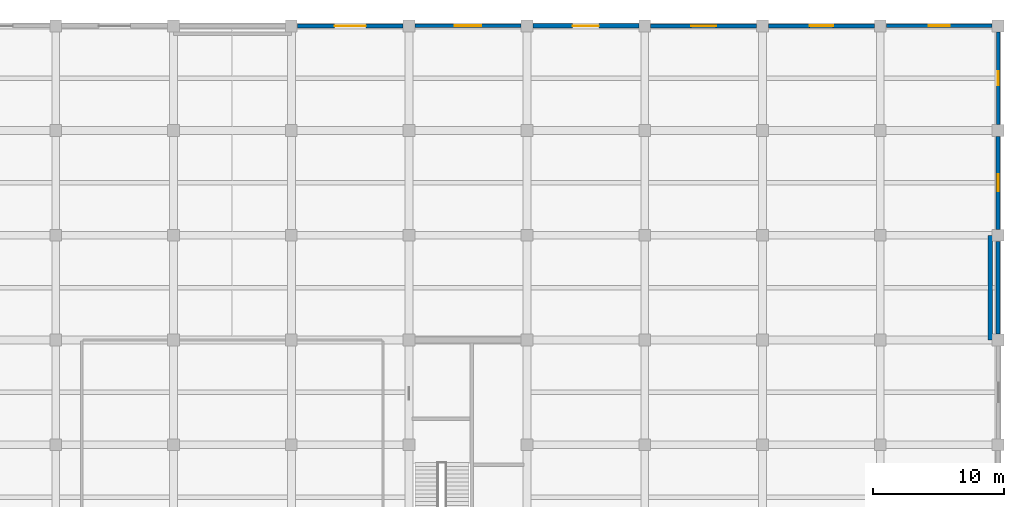
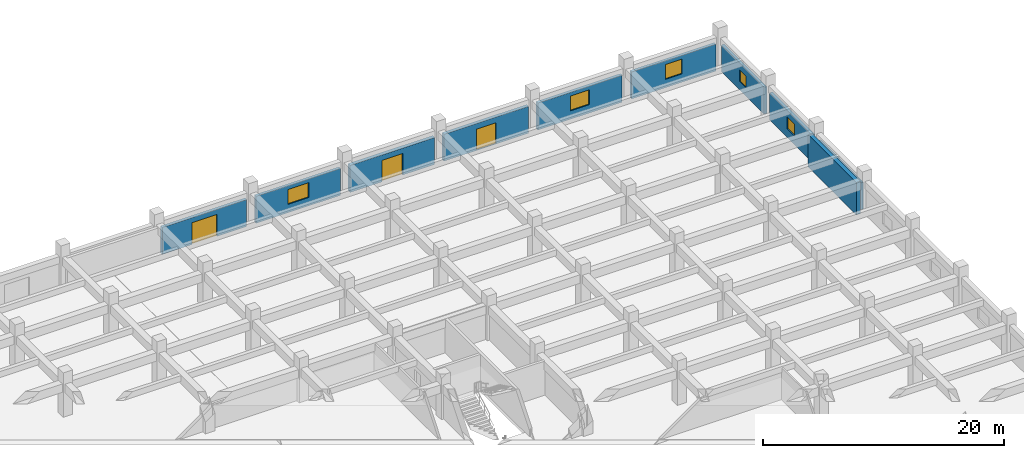
# One storey, part 30 of 40: 10 walls, 5 windows, 3 doors, 8 openings.
"""IFC4 building model written with IfcOpenShell, lengths in metres."""

from ifc_helpers import new_model, si_unit, direction, frame, frame_2d, origin, place, context, subcontext, project, spatial, rectangle, extrude, material, layer, layer_set, type_object, element, fill, save


model = new_model("IFC4")

# Units and contexts
model_context = context("Model", 3, precision=1e-05, world=origin(), true_north=direction((0.0, 1.0)))
body_context = subcontext(model_context, "Body", "Model", "MODEL_VIEW")
ifc_project = project(units=[si_unit("LENGTHUNIT", "METRE"), si_unit("AREAUNIT", "SQUARE_METRE"), si_unit("VOLUMEUNIT", "CUBIC_METRE"), si_unit("PLANEANGLEUNIT", "RADIAN"), si_unit("MASSUNIT", "GRAM", prefix="KILO")], contexts=[model_context])

# Site, building, storey
site_placement = place(None, origin())
site = spatial("IfcSite", under=ifc_project, at=site_placement, CompositionType="ELEMENT")
building_placement = place(site_placement, origin())
building = spatial("IfcBuilding", under=site, at=building_placement, Name="Zaverband Oceanarium and Marine Research Institute", CompositionType="ELEMENT")
storey_placement = place(building_placement, origin())
storey = spatial("IfcBuildingStorey", under=building, at=storey_placement, Name="L00", CompositionType="ELEMENT", Elevation=0.0)

# Wall, opening, window
ifc_material_1 = material(Name="Concrete C40/50 precast", Category="concrete")
ifc_layer_1 = layer(ifc_material_1, 0.264892578125, Name="Concrete C40/50 precast")
ifc_layer_set_1 = layer_set([ifc_layer_1], Name="Concrete C40/50 precast")
wall_type_1 = type_object("IfcWallType", Name="EW-265", PredefinedType="STANDARD", material=ifc_layer_set_1)
wall_1_placement = place(storey_placement, frame((135.455078125, 120.0, 0.0), z_axis=(0.0, 0.0, 1.0), x_axis=(1.0, 0.0, 0.0)))
wall_1 = element("IfcWall", 1, at=wall_1_placement, inside=storey, type_object=wall_type_1, Name="Exterior infill wall EW-265", PredefinedType="STANDARD", context=body_context, shape_type="SweptSolid", body=[
    extrude(rectangle(XDim=8.08984375, YDim=0.264892578125, at=frame_2d((4.044921875, 0.0))), origin(), (0.0, 0.0, 1.0), 2.72998046875),
])
opening_1_placement = place(wall_1_placement, frame((3.044921875, 0.0, 0.85009765625)))
opening_1 = element("IfcOpeningElement", 2, at=opening_1_placement, cuts=wall_1, Name="Opening WN-2000x1500", PredefinedType="OPENING", context=body_context, shape_type="SweptSolid", body=[
    extrude(rectangle(XDim=2.0, YDim=1.5, at=frame_2d((1.0, 0.75))), frame((0.0, 0.14453125, 0.0), z_axis=(0.0, -1.0, 0.0), x_axis=(1.0, 0.0, 0.0)), (0.0, 0.0, 1.0), 0.288818359375),
])
ifc_material_2 = material(Name="Thermally broken anodized aluminium and solar-control glass", Category="aluminium")
window_type_1 = type_object("IfcWindowType", Name="WN-2000x1500", PartitioningType="SINGLE_PANEL", PredefinedType="WINDOW", material=ifc_material_2)
window_1_placement = place(opening_1_placement, origin())
window_1 = element("IfcWindow", 3, at=window_1_placement, inside=storey, type_object=window_type_1, Name="Fixed / casement exterior window WN-2000x1500", OverallHeight=1.5, OverallWidth=2.0, PartitioningType="SINGLE_PANEL", PredefinedType="WINDOW", context=body_context, shape_type="SweptSolid", body=[
    extrude(rectangle(XDim=2.0, YDim=1.5, at=frame_2d((1.0, 0.75))), frame((0.0, 0.030029296875, 0.0), z_axis=(0.0, -1.0, 0.0), x_axis=(1.0, 0.0, 0.0)), (0.0, 0.0, 1.0), 0.06005859375),
])
fill(opening_1, window_1)

wall_2_placement = place(storey_placement, frame((171.455078125, 120.0, 0.0), z_axis=(0.0, 0.0, 1.0), x_axis=(1.0, 0.0, 0.0)))
wall_2 = element("IfcWall", 4, at=wall_2_placement, inside=storey, type_object=wall_type_1, Name="Exterior infill wall EW-265", PredefinedType="STANDARD", context=body_context, shape_type="SweptSolid", body=[
    extrude(rectangle(XDim=8.08984375, YDim=0.264892578125, at=frame_2d((4.044921875, 0.0))), origin(), (0.0, 0.0, 1.0), 2.72998046875),
])
opening_2_placement = place(wall_2_placement, frame((3.2451171875, 0.0, 0.85009765625)))
opening_2 = element("IfcOpeningElement", 5, at=opening_2_placement, cuts=wall_2, Name="Opening WN-1600x1500", PredefinedType="OPENING", context=body_context, shape_type="SweptSolid", body=[
    extrude(rectangle(XDim=1.60009765625, YDim=1.5, at=frame_2d((0.800048828125, 0.75))), frame((0.0, 0.14453125, 0.0), z_axis=(0.0, -1.0, 0.0), x_axis=(1.0, 0.0, 0.0)), (0.0, 0.0, 1.0), 0.288818359375),
])
window_type_2 = type_object("IfcWindowType", Name="WN-1600x1500", PartitioningType="SINGLE_PANEL", PredefinedType="WINDOW", material=ifc_material_2)
window_2_placement = place(opening_2_placement, origin())
window_2 = element("IfcWindow", 6, at=window_2_placement, inside=storey, type_object=window_type_2, Name="Fixed / casement exterior window WN-1600x1500", OverallHeight=1.5, OverallWidth=1.60009765625, PartitioningType="SINGLE_PANEL", PredefinedType="WINDOW", context=body_context, shape_type="SweptSolid", body=[
    extrude(rectangle(XDim=1.60009765625, YDim=1.5, at=frame_2d((0.800048828125, 0.75))), frame((0.0, 0.030029296875, 0.0), z_axis=(0.0, -1.0, 0.0), x_axis=(1.0, 0.0, 0.0)), (0.0, 0.0, 1.0), 0.06005859375),
])
fill(opening_2, window_2)

wall_3_placement = place(storey_placement, frame((180.0, 112.455078125, 0.0), z_axis=(0.0, 0.0, 1.0), x_axis=(0.0, 1.0, 0.0)))
wall_3 = element("IfcWall", 7, at=wall_3_placement, inside=storey, type_object=wall_type_1, Name="Exterior infill wall EW-265", PredefinedType="STANDARD", context=body_context, shape_type="SweptSolid", body=[
    extrude(rectangle(XDim=7.08984375, YDim=0.264892578125, at=frame_2d((3.544921875, 0.0))), origin(), (0.0, 0.0, 1.0), 2.72998046875),
])
opening_3_placement = place(wall_3_placement, frame((2.9951171875, 0.0, 0.85009765625)))
opening_3 = element("IfcOpeningElement", 8, at=opening_3_placement, cuts=wall_3, Name="Opening WN-1100x1200", PredefinedType="OPENING", context=body_context, shape_type="SweptSolid", body=[
    extrude(rectangle(XDim=1.10009765625, YDim=1.199951171875, at=frame_2d((0.550048828125, 0.60009765625))), frame((0.0, 0.14453125, 0.0), z_axis=(0.0, -1.0, 0.0), x_axis=(1.0, 0.0, 0.0)), (0.0, 0.0, 1.0), 0.288818359375),
])
window_type_3 = type_object("IfcWindowType", Name="WN-1100x1200", PartitioningType="SINGLE_PANEL", PredefinedType="WINDOW", material=ifc_material_2)
window_3_placement = place(opening_3_placement, origin())
window_3 = element("IfcWindow", 9, at=window_3_placement, inside=storey, type_object=window_type_3, Name="Fixed / casement exterior window WN-1100x1200", OverallHeight=1.199951171875, OverallWidth=1.10009765625, PartitioningType="SINGLE_PANEL", PredefinedType="WINDOW", context=body_context, shape_type="SweptSolid", body=[
    extrude(rectangle(XDim=1.10009765625, YDim=1.199951171875, at=frame_2d((0.550048828125, 0.60009765625))), frame((0.0, 0.030029296875, 0.0), z_axis=(0.0, -1.0, 0.0), x_axis=(1.0, 0.0, 0.0)), (0.0, 0.0, 1.0), 0.06005859375),
])
fill(opening_3, window_3)

# Wall, opening, door
ifc_layer_2 = layer(ifc_material_1, 0.2900390625, Name="Concrete C40/50 precast")
ifc_layer_set_2 = layer_set([ifc_layer_2], Name="Concrete C40/50 precast")
wall_type_2 = type_object("IfcWallType", Name="EW-290", PredefinedType="STANDARD", material=ifc_layer_set_2)
wall_4_placement = place(storey_placement, frame((126.455078125, 120.0, 0.0), z_axis=(0.0, 0.0, 1.0), x_axis=(1.0, 0.0, 0.0)))
wall_4 = element("IfcWall", 10, at=wall_4_placement, inside=storey, type_object=wall_type_2, Name="Exterior infill wall EW-290", PredefinedType="STANDARD", context=body_context, shape_type="SweptSolid", body=[
    extrude(rectangle(XDim=8.08984375, YDim=0.2900390625, at=frame_2d((4.044921875, 0.0))), origin(), (0.0, 0.0, 1.0), 2.72998046875),
])
opening_4_placement = place(wall_4_placement, frame((2.844970703125, 0.0, 0.0)))
opening_4 = element("IfcOpeningElement", 11, at=opening_4_placement, cuts=wall_4, Name="Opening ED-2400x2220", PredefinedType="OPENING", context=body_context, shape_type="SweptSolid", body=[
    extrude(rectangle(XDim=2.39990234375, YDim=2.219970703125, at=frame_2d((1.199951171875, 1.10986328125))), frame((0.0, 0.156982421875, 0.0), z_axis=(0.0, -1.0, 0.0), x_axis=(1.0, 0.0, 0.0)), (0.0, 0.0, 1.0), 0.31396484375),
])
ifc_material_3 = material(Name="Thermally broken anodized aluminium and laminated glass", Category="aluminium")
door_type_1 = type_object("IfcDoorType", Name="ED-2400x2220", OperationType="DOUBLE_DOOR_SINGLE_SWING", PredefinedType="DOOR", material=ifc_material_3)
door_1_placement = place(opening_4_placement, origin())
door_1 = element("IfcDoor", 12, at=door_1_placement, inside=storey, type_object=door_type_1, Name="Pedestrian exit E14", OperationType="DOUBLE_DOOR_SINGLE_SWING", OverallHeight=2.219970703125, OverallWidth=2.39990234375, PredefinedType="DOOR", context=body_context, shape_type="SweptSolid", body=[
    extrude(rectangle(XDim=2.39990234375, YDim=2.219970703125, at=frame_2d((1.199951171875, 1.10986328125))), frame((0.0, 0.02490234375, 0.0), z_axis=(0.0, -1.0, 0.0), x_axis=(1.0, 0.0, 0.0)), (0.0, 0.0, 1.0), 0.050048828125),
])
fill(opening_4, door_1)

# Wall, opening, window
wall_5_placement = place(storey_placement, frame((162.455078125, 120.0, 0.0), z_axis=(0.0, 0.0, 1.0), x_axis=(1.0, 0.0, 0.0)))
wall_5 = element("IfcWall", 13, at=wall_5_placement, inside=storey, type_object=wall_type_2, Name="Exterior infill wall EW-290", PredefinedType="STANDARD", context=body_context, shape_type="SweptSolid", body=[
    extrude(rectangle(XDim=8.08984375, YDim=0.2900390625, at=frame_2d((4.044921875, 0.0))), origin(), (0.0, 0.0, 1.0), 2.72998046875),
])
opening_5_placement = place(wall_5_placement, frame((3.14501953125, 0.0, 0.85009765625)))
opening_5 = element("IfcOpeningElement", 14, at=opening_5_placement, cuts=wall_5, Name="Opening WN-1800x1500", PredefinedType="OPENING", context=body_context, shape_type="SweptSolid", body=[
    extrude(rectangle(XDim=1.800048828125, YDim=1.5, at=frame_2d((0.89990234375, 0.75))), frame((0.0, 0.156982421875, 0.0), z_axis=(0.0, -1.0, 0.0), x_axis=(1.0, 0.0, 0.0)), (0.0, 0.0, 1.0), 0.31396484375),
])
window_type_4 = type_object("IfcWindowType", Name="WN-1800x1500", PartitioningType="SINGLE_PANEL", PredefinedType="WINDOW", material=ifc_material_2)
window_4_placement = place(opening_5_placement, origin())
window_4 = element("IfcWindow", 15, at=window_4_placement, inside=storey, type_object=window_type_4, Name="Fixed / casement exterior window WN-1800x1500", OverallHeight=1.5, OverallWidth=1.800048828125, PartitioningType="SINGLE_PANEL", PredefinedType="WINDOW", context=body_context, shape_type="SweptSolid", body=[
    extrude(rectangle(XDim=1.800048828125, YDim=1.5, at=frame_2d((0.89990234375, 0.75))), frame((0.0, 0.030029296875, 0.0), z_axis=(0.0, -1.0, 0.0), x_axis=(1.0, 0.0, 0.0)), (0.0, 0.0, 1.0), 0.06005859375),
])
fill(opening_5, window_4)

wall_6_placement = place(storey_placement, frame((180.0, 104.455078125, 0.0), z_axis=(0.0, 0.0, 1.0), x_axis=(0.0, 1.0, 0.0)))
wall_6 = element("IfcWall", 16, at=wall_6_placement, inside=storey, type_object=wall_type_2, Name="Exterior infill wall EW-290", PredefinedType="STANDARD", context=body_context, shape_type="SweptSolid", body=[
    extrude(rectangle(XDim=7.08984375, YDim=0.2900390625, at=frame_2d((3.544921875, 0.0))), origin(), (0.0, 0.0, 1.0), 2.72998046875),
])
opening_6_placement = place(wall_6_placement, frame((2.89501953125, 0.0, 0.85009765625)))
opening_6 = element("IfcOpeningElement", 17, at=opening_6_placement, cuts=wall_6, Name="Opening WN-1300x1200", PredefinedType="OPENING", context=body_context, shape_type="SweptSolid", body=[
    extrude(rectangle(XDim=1.300048828125, YDim=1.199951171875, at=frame_2d((0.64990234375, 0.60009765625))), frame((0.0, 0.156982421875, 0.0), z_axis=(0.0, -1.0, 0.0), x_axis=(1.0, 0.0, 0.0)), (0.0, 0.0, 1.0), 0.31396484375),
])
window_type_5 = type_object("IfcWindowType", Name="WN-1300x1200", PartitioningType="SINGLE_PANEL", PredefinedType="WINDOW", material=ifc_material_2)
window_5_placement = place(opening_6_placement, origin())
window_5 = element("IfcWindow", 18, at=window_5_placement, inside=storey, type_object=window_type_5, Name="Fixed / casement exterior window WN-1300x1200", OverallHeight=1.199951171875, OverallWidth=1.300048828125, PartitioningType="SINGLE_PANEL", PredefinedType="WINDOW", context=body_context, shape_type="SweptSolid", body=[
    extrude(rectangle(XDim=1.300048828125, YDim=1.199951171875, at=frame_2d((0.64990234375, 0.60009765625))), frame((0.0, 0.030029296875, 0.0), z_axis=(0.0, -1.0, 0.0), x_axis=(1.0, 0.0, 0.0)), (0.0, 0.0, 1.0), 0.06005859375),
])
fill(opening_6, window_5)

# Wall, opening, door
ifc_layer_3 = layer(ifc_material_1, 0.31005859375, Name="Concrete C40/50 precast")
ifc_layer_set_3 = layer_set([ifc_layer_3], Name="Concrete C40/50 precast")
wall_type_3 = type_object("IfcWallType", Name="EW-310", PredefinedType="STANDARD", material=ifc_layer_set_3)
wall_7_placement = place(storey_placement, frame((153.455078125, 120.0, 0.0), z_axis=(0.0, 0.0, 1.0), x_axis=(1.0, 0.0, 0.0)))
wall_7 = element("IfcWall", 19, at=wall_7_placement, inside=storey, type_object=wall_type_3, Name="Exterior infill wall EW-310", PredefinedType="STANDARD", context=body_context, shape_type="SweptSolid", body=[
    extrude(rectangle(XDim=8.08984375, YDim=0.31005859375, at=frame_2d((4.044921875, 0.0))), origin(), (0.0, 0.0, 1.0), 2.72998046875),
])
opening_7_placement = place(wall_7_placement, frame((3.094970703125, 0.0, 0.0)))
opening_7 = element("IfcOpeningElement", 20, at=opening_7_placement, cuts=wall_7, Name="Opening ED-1900x2160", PredefinedType="OPENING", context=body_context, shape_type="SweptSolid", body=[
    extrude(rectangle(XDim=1.89990234375, YDim=2.159912109375, at=frame_2d((0.949951171875, 1.080078125))), frame((0.0, 0.1669921875, 0.0), z_axis=(0.0, -1.0, 0.0), x_axis=(1.0, 0.0, 0.0)), (0.0, 0.0, 1.0), 0.333984375),
])
door_type_2 = type_object("IfcDoorType", Name="ED-1900x2160", OperationType="DOUBLE_DOOR_SINGLE_SWING", PredefinedType="DOOR", material=ifc_material_3)
door_2_placement = place(opening_7_placement, origin())
door_2 = element("IfcDoor", 21, at=door_2_placement, inside=storey, type_object=door_type_2, Name="Pedestrian exit E16", OperationType="DOUBLE_DOOR_SINGLE_SWING", OverallHeight=2.159912109375, OverallWidth=1.89990234375, PredefinedType="DOOR", context=body_context, shape_type="SweptSolid", body=[
    extrude(rectangle(XDim=1.89990234375, YDim=2.159912109375, at=frame_2d((0.949951171875, 1.080078125))), frame((0.0, 0.02490234375, 0.0), z_axis=(0.0, -1.0, 0.0), x_axis=(1.0, 0.0, 0.0)), (0.0, 0.0, 1.0), 0.050048828125),
])
fill(opening_7, door_2)

# Wall
wall_8_placement = place(storey_placement, frame((180.0, 96.455078125, 0.0), z_axis=(0.0, 0.0, 1.0), x_axis=(0.0, 1.0, 0.0)))
element("IfcWall", 22, at=wall_8_placement, inside=storey, type_object=wall_type_3, Name="Exterior infill wall EW-310", PredefinedType="STANDARD", context=body_context, shape_type="SweptSolid", body=[
    extrude(rectangle(XDim=7.08984375, YDim=0.31005859375, at=frame_2d((3.544921875, 0.0))), origin(), (0.0, 0.0, 1.0), 2.72998046875),
])

# Wall, opening, door
ifc_layer_4 = layer(ifc_material_1, 0.340087890625, Name="Concrete C40/50 precast")
ifc_layer_set_4 = layer_set([ifc_layer_4], Name="Concrete C40/50 precast")
wall_type_4 = type_object("IfcWallType", Name="EW-340", PredefinedType="STANDARD", material=ifc_layer_set_4)
wall_9_placement = place(storey_placement, frame((144.455078125, 120.0, 0.0), z_axis=(0.0, 0.0, 1.0), x_axis=(1.0, 0.0, 0.0)))
wall_9 = element("IfcWall", 23, at=wall_9_placement, inside=storey, type_object=wall_type_4, Name="Exterior infill wall EW-340", PredefinedType="STANDARD", context=body_context, shape_type="SweptSolid", body=[
    extrude(rectangle(XDim=8.08984375, YDim=0.340087890625, at=frame_2d((4.044921875, 0.0))), origin(), (0.0, 0.0, 1.0), 2.72998046875),
])
opening_8_placement = place(wall_9_placement, frame((3.044921875, 0.0, 0.0)))
opening_8 = element("IfcOpeningElement", 24, at=opening_8_placement, cuts=wall_9, Name="Opening ED-2000x2180", PredefinedType="OPENING", context=body_context, shape_type="SweptSolid", body=[
    extrude(rectangle(XDim=2.0, YDim=2.179931640625, at=frame_2d((1.0, 1.08984375))), frame((0.0, 0.18212890625, 0.0), z_axis=(0.0, -1.0, 0.0), x_axis=(1.0, 0.0, 0.0)), (0.0, 0.0, 1.0), 0.364013671875),
])
door_type_3 = type_object("IfcDoorType", Name="ED-2000x2180", OperationType="DOUBLE_DOOR_SINGLE_SWING", PredefinedType="DOOR", material=ifc_material_3)
door_3_placement = place(opening_8_placement, origin())
door_3 = element("IfcDoor", 25, at=door_3_placement, inside=storey, type_object=door_type_3, Name="Pedestrian exit E15", OperationType="DOUBLE_DOOR_SINGLE_SWING", OverallHeight=2.179931640625, OverallWidth=2.0, PredefinedType="DOOR", context=body_context, shape_type="SweptSolid", body=[
    extrude(rectangle(XDim=2.0, YDim=2.179931640625, at=frame_2d((1.0, 1.08984375))), frame((0.0, 0.02490234375, 0.0), z_axis=(0.0, -1.0, 0.0), x_axis=(1.0, 0.0, 0.0)), (0.0, 0.0, 1.0), 0.050048828125),
])
fill(opening_8, door_3)

# Wall
ifc_material_4 = material(Name="Concrete C50/60", Category="concrete")
ifc_layer_5 = layer(ifc_material_4, 0.3798828125, Name="Concrete C50/60")
ifc_layer_set_5 = layer_set([ifc_layer_5], Name="Concrete C50/60")
wall_type_5 = type_object("IfcWallType", Name="SW-02", PredefinedType="SHEAR", material=ifc_layer_set_5)
wall_10_placement = place(storey_placement, frame((179.39990234375, 96.0, 0.0), z_axis=(0.0, 0.0, 1.0), x_axis=(0.0, 1.0, 0.0)))
element("IfcWall", 26, at=wall_10_placement, inside=storey, type_object=wall_type_5, Name="Structural shear wall SW-02", PredefinedType="SHEAR", context=body_context, shape_type="SweptSolid", body=[
    extrude(rectangle(XDim=8.0, YDim=0.3798828125, at=frame_2d((4.0, 0.0))), origin(), (0.0, 0.0, 1.0), 3.300048828125),
])

save(model, "model.ifc")
